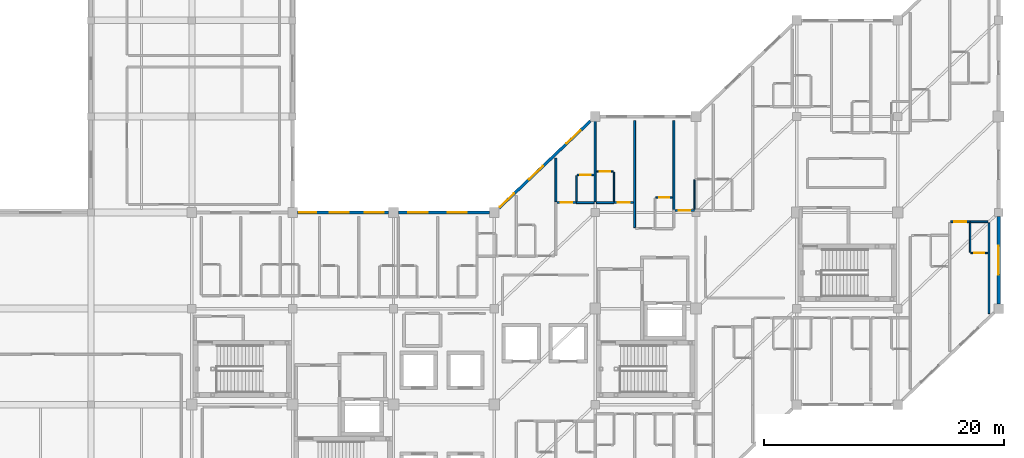
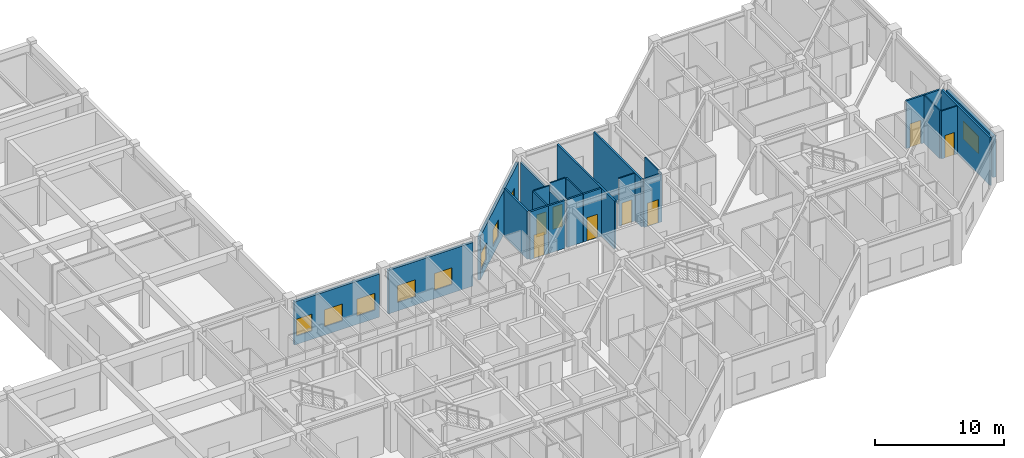
# One storey, part 30 of 37: 24 walls, 9 windows, 8 doors, 17 openings.
"""IFC4 building model written with IfcOpenShell, lengths in metres."""

from ifc_helpers import new_model, si_unit, direction, frame, frame_2d, origin, place, context, subcontext, project, spatial, rectangle, extrude, material, layer, layer_set, type_object, element, fill, save


model = new_model("IFC4")

# Units and contexts
model_context = context("Model", 3, precision=1e-05, world=origin(), true_north=direction((0.0, 1.0)))
body_context = subcontext(model_context, "Body", "Model", "MODEL_VIEW")
ifc_project = project(units=[si_unit("LENGTHUNIT", "METRE"), si_unit("AREAUNIT", "SQUARE_METRE"), si_unit("VOLUMEUNIT", "CUBIC_METRE"), si_unit("PLANEANGLEUNIT", "RADIAN"), si_unit("MASSUNIT", "GRAM", prefix="KILO")], contexts=[model_context])

# Site, building, storey
site_placement = place(None, origin())
site = spatial("IfcSite", under=ifc_project, at=site_placement, CompositionType="ELEMENT")
building_placement = place(site_placement, origin())
building = spatial("IfcBuilding", under=site, at=building_placement, Name="Naruveol Harbour Congress Hotel", CompositionType="ELEMENT")
storey_placement = place(building_placement, frame((0.0, 0.0, 16.199951171875)))
storey = spatial("IfcBuildingStorey", under=building, at=storey_placement, Name="L03", CompositionType="ELEMENT", Elevation=16.199951171875)

# Wall, opening, window
ifc_material_1 = material(Name="Precast concrete C40/50", Category="concrete")
ifc_layer_1 = layer(ifc_material_1, 0.280029296875)
ifc_layer_set_1 = layer_set([ifc_layer_1], Name="Precast concrete C40/50")
wall_type_1 = type_object("IfcWallType", Name="ARCHITECTURAL PRECAST FACADE WALL 280", PredefinedType="SOLIDWALL", material=ifc_layer_set_1)
wall_1_placement = place(storey_placement, frame((184.800048828125, 31.64990234375, 0.0), z_axis=(0.0, 0.0, 1.0), x_axis=(0.0, -1.0, 0.0)))
wall_1 = element("IfcWall", 1, at=wall_1_placement, inside=storey, type_object=wall_type_1, Name="Hotel east gable wall L03 EW-280", PredefinedType="SOLIDWALL", context=body_context, shape_type="SweptSolid", body=[
    extrude(rectangle(XDim=7.25, YDim=0.280029296875, at=frame_2d((3.625, 0.0))), origin(), (0.0, 0.0, 1.0), 3.900146484375),
])
opening_1_placement = place(wall_1_placement, frame((2.425048828125, 0.0, 0.75)))
opening_1 = element("IfcOpeningElement", 2, at=opening_1_placement, cuts=wall_1, Name="Opening W-07", PredefinedType="OPENING", context=body_context, shape_type="SweptSolid", body=[
    extrude(rectangle(XDim=2.39990234375, YDim=1.64990234375, at=frame_2d((1.199951171875, 0.824951171875))), frame((0.0, 0.14990234375, 0.0), z_axis=(0.0, -1.0, 0.0), x_axis=(1.0, 0.0, 0.0)), (0.0, 0.0, 1.0), 0.300048828125),
])
ifc_material_2 = material(Name="Low-E Triple Glazing in Thermal Aluminium", Category="aluminium")
window_type_1 = type_object("IfcWindowType", Name="CORNER SUITE WINDOW 2400X1650", PartitioningType="DOUBLE_PANEL_VERTICAL", PredefinedType="WINDOW", material=ifc_material_2)
window_1_placement = place(opening_1_placement, origin())
window_1 = element("IfcWindow", 3, at=window_1_placement, inside=storey, type_object=window_type_1, Name="Window W-07 #268", OverallHeight=1.64990234375, OverallWidth=2.39990234375, PartitioningType="DOUBLE_PANEL_VERTICAL", PredefinedType="WINDOW", context=body_context, shape_type="SweptSolid", body=[
    extrude(rectangle(XDim=2.39990234375, YDim=1.64990234375, at=frame_2d((1.199951171875, 0.824951171875))), frame((0.0, 0.030029296875, 0.0), z_axis=(0.0, -1.0, 0.0), x_axis=(1.0, 0.0, 0.0)), (0.0, 0.0, 1.0), 0.06005859375),
])
fill(opening_1, window_1)

# Wall
ifc_material_3 = material(Name="Moisture-Resistant Gypsum Partition", Category="gypsum")
ifc_layer_2 = layer(ifc_material_3, 0.114990234375)
ifc_layer_set_2 = layer_set([ifc_layer_2], Name="Moisture-Resistant Gypsum Partition")
wall_type_2 = type_object("IfcWallType", Name="BATHROOM MOISTURE PARTITION WALL 115", PredefinedType="PARTITIONING", material=ifc_layer_set_2)
wall_2_placement = place(storey_placement, frame((149.6298828125, 32.909912109375, 0.0), z_axis=(0.0, 0.0, 1.0), x_axis=(0.0, 1.0, 0.0)))
element("IfcWall", 4, at=wall_2_placement, inside=storey, type_object=wall_type_2, Name="Bathroom west wall 0466 PW-115", PredefinedType="PARTITIONING", context=body_context, shape_type="SweptSolid", body=[
    extrude(rectangle(XDim=2.170166015625, YDim=0.114990234375, at=frame_2d((1.0849609375, 0.0))), origin(), (0.0, 0.0, 1.0), 4.53515625),
])

# Wall, opening, door
wall_3_placement = place(storey_placement, frame((149.68994140625, 35.139892578125, 0.0), z_axis=(0.0, 0.0, 1.0), x_axis=(1.0, 0.0, 0.0)))
wall_3 = element("IfcWall", 5, at=wall_3_placement, inside=storey, type_object=wall_type_2, Name="Bathroom north wall 0466 PW-115", PredefinedType="PARTITIONING", context=body_context, shape_type="SweptSolid", body=[
    extrude(rectangle(XDim=1.41015625, YDim=0.114990234375, at=frame_2d((0.705078125, 0.0))), origin(), (0.0, 0.0, 1.0), 4.53515625),
])
opening_2_placement = place(wall_3_placement, frame((0.27490234375, 0.0, 0.0)))
opening_2 = element("IfcOpeningElement", 6, at=opening_2_placement, cuts=wall_3, Name="Opening BD-RM0466", PredefinedType="OPENING", context=body_context, shape_type="SweptSolid", body=[
    extrude(rectangle(XDim=0.860107421875, YDim=2.1201171875, at=frame_2d((0.43017578125, 1.06005859375))), frame((0.0, 0.0673828125, 0.0), z_axis=(0.0, -1.0, 0.0), x_axis=(1.0, 0.0, 0.0)), (0.0, 0.0, 1.0), 0.135009765625),
])
ifc_material_4 = material(Name="Timber & Steel Acoustic Leaf", Category="steel")
door_type_1 = type_object("IfcDoorType", Name="GUEST BATHROOM DOOR 860X2120", OperationType="NOTDEFINED", PredefinedType="DOOR", material=ifc_material_4)
door_1_placement = place(opening_2_placement, origin())
door_1 = element("IfcDoor", 7, at=door_1_placement, inside=storey, type_object=door_type_1, Name="Bathroom Door 0466", OperationType="SINGLE_SWING_RIGHT", OverallHeight=2.1201171875, OverallWidth=0.860107421875, PredefinedType="DOOR", context=body_context, shape_type="SweptSolid", body=[
    extrude(rectangle(XDim=0.860107421875, YDim=2.1201171875, at=frame_2d((0.43017578125, 1.06005859375))), frame((0.0, 0.02490234375, 0.0), z_axis=(0.0, -1.0, 0.0), x_axis=(1.0, 0.0, 0.0)), (0.0, 0.0, 1.0), 0.050048828125),
])
fill(opening_2, door_1)

# Wall
wall_4_placement = place(storey_placement, frame((152.77001953125, 32.909912109375, 0.0), z_axis=(0.0, 0.0, 1.0), x_axis=(0.0, 1.0, 0.0)))
element("IfcWall", 8, at=wall_4_placement, inside=storey, type_object=wall_type_2, Name="Bathroom east wall 0467 PW-115", PredefinedType="PARTITIONING", context=body_context, shape_type="SweptSolid", body=[
    extrude(rectangle(XDim=2.4501953125, YDim=0.114990234375, at=frame_2d((1.22509765625, 0.0))), origin(), (0.0, 0.0, 1.0), 4.53515625),
])

# Wall, opening, door
wall_5_placement = place(storey_placement, frame((151.300048828125, 35.419921875, 0.0), z_axis=(0.0, 0.0, 1.0), x_axis=(1.0, 0.0, 0.0)))
wall_5 = element("IfcWall", 9, at=wall_5_placement, inside=storey, type_object=wall_type_2, Name="Bathroom north wall 0467 PW-115", PredefinedType="PARTITIONING", context=body_context, shape_type="SweptSolid", body=[
    extrude(rectangle(XDim=1.409912109375, YDim=0.114990234375, at=frame_2d((0.705078125, 0.0))), origin(), (0.0, 0.0, 1.0), 4.53515625),
])
opening_3_placement = place(wall_5_placement, frame((0.27490234375, 0.0, 0.0)))
opening_3 = element("IfcOpeningElement", 10, at=opening_3_placement, cuts=wall_5, Name="Opening BD-RM0467", PredefinedType="OPENING", context=body_context, shape_type="SweptSolid", body=[
    extrude(rectangle(XDim=0.860107421875, YDim=2.1201171875, at=frame_2d((0.43017578125, 1.06005859375))), frame((0.0, 0.0673828125, 0.0), z_axis=(0.0, -1.0, 0.0), x_axis=(1.0, 0.0, 0.0)), (0.0, 0.0, 1.0), 0.135009765625),
])
door_2_placement = place(opening_3_placement, origin())
door_2 = element("IfcDoor", 11, at=door_2_placement, inside=storey, type_object=door_type_1, Name="Bathroom Door 0467", OperationType="SINGLE_SWING_RIGHT", OverallHeight=2.1201171875, OverallWidth=0.860107421875, PredefinedType="DOOR", context=body_context, shape_type="SweptSolid", body=[
    extrude(rectangle(XDim=0.860107421875, YDim=2.1201171875, at=frame_2d((0.43017578125, 1.06005859375))), frame((0.0, 0.02490234375, 0.0), z_axis=(0.0, -1.0, 0.0), x_axis=(1.0, 0.0, 0.0)), (0.0, 0.0, 1.0), 0.050048828125),
])
fill(opening_3, door_2)

wall_6_placement = place(storey_placement, frame((156.25, 33.260009765625, 0.0), z_axis=(0.0, 0.0, 1.0), x_axis=(1.0, 0.0, 0.0)))
wall_6 = element("IfcWall", 12, at=wall_6_placement, inside=storey, type_object=wall_type_2, Name="Bathroom north wall 0468 PW-115", PredefinedType="PARTITIONING", context=body_context, shape_type="SweptSolid", body=[
    extrude(rectangle(XDim=1.409912109375, YDim=0.114990234375, at=frame_2d((0.705078125, 0.0))), origin(), (0.0, 0.0, 1.0), 4.53515625),
])
opening_4_placement = place(wall_6_placement, frame((0.27490234375, 0.0, 0.0)))
opening_4 = element("IfcOpeningElement", 13, at=opening_4_placement, cuts=wall_6, Name="Opening BD-RM0468", PredefinedType="OPENING", context=body_context, shape_type="SweptSolid", body=[
    extrude(rectangle(XDim=0.860107421875, YDim=2.1201171875, at=frame_2d((0.43017578125, 1.06005859375))), frame((0.0, 0.0673828125, 0.0), z_axis=(0.0, -1.0, 0.0), x_axis=(1.0, 0.0, 0.0)), (0.0, 0.0, 1.0), 0.135009765625),
])
door_3_placement = place(opening_4_placement, origin())
door_3 = element("IfcDoor", 14, at=door_3_placement, inside=storey, type_object=door_type_1, Name="Bathroom Door 0468", OperationType="SINGLE_SWING_RIGHT", OverallHeight=2.1201171875, OverallWidth=0.860107421875, PredefinedType="DOOR", context=body_context, shape_type="SweptSolid", body=[
    extrude(rectangle(XDim=0.860107421875, YDim=2.1201171875, at=frame_2d((0.43017578125, 1.06005859375))), frame((0.0, 0.02490234375, 0.0), z_axis=(0.0, -1.0, 0.0), x_axis=(1.0, 0.0, 0.0)), (0.0, 0.0, 1.0), 0.050048828125),
])
fill(opening_4, door_3)

# Walls
for number, where, z_axis, x_axis, name in (
    (15, (159.469970703125, 32.260009765625, 0.0), (0.0, 0.0, 1.0), (0.0, 1.0, 0.0), "Bathroom west wall 0469 PW-115"),
    (16, (182.429931640625, 28.68994140625, 0.0), (0.0, 0.0, 1.0), (0.0, 1.0, 0.0), "Bathroom west wall 0456 PW-115"),
):
    element("IfcWall", number, at=place(storey_placement, frame(where, z_axis=z_axis, x_axis=x_axis)), inside=storey, type_object=wall_type_2, Name=name, PredefinedType="PARTITIONING", context=body_context, shape_type="SweptSolid", body=[
        extrude(rectangle(XDim=2.449951171875, YDim=0.114990234375, at=frame_2d((1.22509765625, 0.0))), origin(), (0.0, 0.0, 1.0), 4.53515625),
    ])

# Wall, opening, door
wall_7_placement = place(storey_placement, frame((182.489990234375, 28.6298828125, 0.0), z_axis=(0.0, 0.0, 1.0), x_axis=(1.0, 0.0, 0.0)))
wall_7 = element("IfcWall", 17, at=wall_7_placement, inside=storey, type_object=wall_type_2, Name="Bathroom south wall 0456 PW-115", PredefinedType="PARTITIONING", context=body_context, shape_type="SweptSolid", body=[
    extrude(rectangle(XDim=1.409912109375, YDim=0.114990234375, at=frame_2d((0.705078125, 0.0))), origin(), (0.0, 0.0, 1.0), 4.53515625),
])
opening_5_placement = place(wall_7_placement, frame((0.27490234375, 0.0, 0.0)))
opening_5 = element("IfcOpeningElement", 18, at=opening_5_placement, cuts=wall_7, Name="Opening BD-RM0456", PredefinedType="OPENING", context=body_context, shape_type="SweptSolid", body=[
    extrude(rectangle(XDim=0.860107421875, YDim=2.1201171875, at=frame_2d((0.43017578125, 1.06005859375))), frame((0.0, 0.0673828125, 0.0), z_axis=(0.0, -1.0, 0.0), x_axis=(1.0, 0.0, 0.0)), (0.0, 0.0, 1.0), 0.135009765625),
])
door_4_placement = place(opening_5_placement, origin())
door_4 = element("IfcDoor", 19, at=door_4_placement, inside=storey, type_object=door_type_1, Name="Bathroom Door 0456", OperationType="SINGLE_SWING_RIGHT", OverallHeight=2.1201171875, OverallWidth=0.860107421875, PredefinedType="DOOR", context=body_context, shape_type="SweptSolid", body=[
    extrude(rectangle(XDim=0.860107421875, YDim=2.1201171875, at=frame_2d((0.43017578125, 1.06005859375))), frame((0.0, 0.02490234375, 0.0), z_axis=(0.0, -1.0, 0.0), x_axis=(1.0, 0.0, 0.0)), (0.0, 0.0, 1.0), 0.050048828125),
])
fill(opening_5, door_4)

ifc_material_5 = material(Name="Autoclaved Aerated Concrete Block", Category="concrete")
ifc_layer_3 = layer(ifc_material_5, 0.159912109375)
ifc_layer_set_3 = layer_set([ifc_layer_3], Name="Autoclaved Aerated Concrete Block")
wall_type_3 = type_object("IfcWallType", Name="HOTEL PARTY AND CORRIDOR WALL 160 EI60", PredefinedType="PARTITIONING", material=ifc_layer_set_3)
wall_8_placement = place(storey_placement, frame((148.010009765625, 32.820068359375, 0.0), z_axis=(0.0, 0.0, 1.0), x_axis=(1.0, 0.0, 0.0)))
wall_8 = element("IfcWall", 20, at=wall_8_placement, inside=storey, type_object=wall_type_3, Name="Corridor entry wall 0466 PW-160", PredefinedType="PARTITIONING", context=body_context, shape_type="SweptSolid", body=[
    extrude(rectangle(XDim=1.619873046875, YDim=0.159912109375, at=frame_2d((0.81005859375, 0.0))), origin(), (0.0, 0.0, 1.0), 4.53515625),
])
opening_6_placement = place(wall_8_placement, frame((0.330078125, 0.0, 0.0)))
opening_6 = element("IfcOpeningElement", 21, at=opening_6_placement, cuts=wall_8, Name="Opening FD-RM0466", PredefinedType="OPENING", context=body_context, shape_type="SweptSolid", body=[
    extrude(rectangle(XDim=0.9599609375, YDim=2.199951171875, at=frame_2d((0.47998046875, 1.10009765625))), frame((0.0, 0.08984375, 0.0), z_axis=(0.0, -1.0, 0.0), x_axis=(1.0, 0.0, 0.0)), (0.0, 0.0, 1.0), 0.179931640625),
])
ifc_material_6 = material(Name="Timber & Steel Acoustic Leaf", Category="steel")
door_type_2 = type_object("IfcDoorType", Name="GUEST ROOM ENTRANCE FIRE DOOR 960X2200", OperationType="NOTDEFINED", PredefinedType="DOOR", material=ifc_material_6)
door_5_placement = place(opening_6_placement, origin())
door_5 = element("IfcDoor", 22, at=door_5_placement, inside=storey, type_object=door_type_2, Name="Hotel Room Door 0466", OperationType="SINGLE_SWING_LEFT", OverallHeight=2.199951171875, OverallWidth=0.9599609375, PredefinedType="DOOR", context=body_context, shape_type="SweptSolid", body=[
    extrude(rectangle(XDim=0.9599609375, YDim=2.199951171875, at=frame_2d((0.47998046875, 1.10009765625))), frame((0.0, 0.02490234375, 0.0), z_axis=(0.0, -1.0, 0.0), x_axis=(1.0, 0.0, 0.0)), (0.0, 0.0, 1.0), 0.050048828125),
])
fill(opening_6, door_5)

# Walls
wall_9_placement = place(storey_placement, frame((149.639892578125, 32.820068359375, 0.0), z_axis=(0.0, 0.0, 1.0), x_axis=(1.0, 0.0, 0.0)))
element("IfcWall", 23, at=wall_9_placement, inside=storey, type_object=wall_type_3, Name="Corridor wall 0466B PW-160", PredefinedType="PARTITIONING", context=body_context, shape_type="SweptSolid", body=[
    extrude(rectangle(XDim=1.47021484375, YDim=0.159912109375, at=frame_2d((0.735107421875, 0.0))), origin(), (0.0, 0.0, 1.0), 4.53515625),
])
wall_10_placement = place(storey_placement, frame((147.919921875, 32.909912109375, 0.0), z_axis=(0.0, 0.0, 1.0), x_axis=(0.0, 1.0, 0.0)))
element("IfcWall", 24, at=wall_10_placement, inside=storey, type_object=wall_type_3, Name="Hotel party wall 0466 PW-160", PredefinedType="PARTITIONING", context=body_context, shape_type="SweptSolid", body=[
    extrude(rectangle(XDim=3.630126953125, YDim=0.159912109375, at=frame_2d((1.81494140625, 0.0))), origin(), (0.0, 0.0, 1.0), 4.53515625),
])
wall_11_placement = place(storey_placement, frame((151.2900390625, 32.820068359375, 0.0), z_axis=(0.0, 0.0, 1.0), x_axis=(1.0, 0.0, 0.0)))
element("IfcWall", 25, at=wall_11_placement, inside=storey, type_object=wall_type_3, Name="Corridor wall 0467B PW-160", PredefinedType="PARTITIONING", context=body_context, shape_type="SweptSolid", body=[
    extrude(rectangle(XDim=1.469970703125, YDim=0.159912109375, at=frame_2d((0.73486328125, 0.0))), origin(), (0.0, 0.0, 1.0), 4.53515625),
])

# Wall, opening, door
wall_12_placement = place(storey_placement, frame((152.77001953125, 32.820068359375, 0.0), z_axis=(0.0, 0.0, 1.0), x_axis=(1.0, 0.0, 0.0)))
wall_12 = element("IfcWall", 26, at=wall_12_placement, inside=storey, type_object=wall_type_3, Name="Corridor entry wall 0467 PW-160", PredefinedType="PARTITIONING", context=body_context, shape_type="SweptSolid", body=[
    extrude(rectangle(XDim=1.619873046875, YDim=0.159912109375, at=frame_2d((0.81005859375, 0.0))), origin(), (0.0, 0.0, 1.0), 4.53515625),
])
opening_7_placement = place(wall_12_placement, frame((0.330078125, 0.0, 0.0)))
opening_7 = element("IfcOpeningElement", 27, at=opening_7_placement, cuts=wall_12, Name="Opening FD-RM0467", PredefinedType="OPENING", context=body_context, shape_type="SweptSolid", body=[
    extrude(rectangle(XDim=0.9599609375, YDim=2.199951171875, at=frame_2d((0.47998046875, 1.10009765625))), frame((0.0, 0.08984375, 0.0), z_axis=(0.0, -1.0, 0.0), x_axis=(1.0, 0.0, 0.0)), (0.0, 0.0, 1.0), 0.179931640625),
])
door_6_placement = place(opening_7_placement, origin())
door_6 = element("IfcDoor", 28, at=door_6_placement, inside=storey, type_object=door_type_2, Name="Hotel Room Door 0467", OperationType="SINGLE_SWING_LEFT", OverallHeight=2.199951171875, OverallWidth=0.9599609375, PredefinedType="DOOR", context=body_context, shape_type="SweptSolid", body=[
    extrude(rectangle(XDim=0.9599609375, YDim=2.199951171875, at=frame_2d((0.47998046875, 1.10009765625))), frame((0.0, 0.02490234375, 0.0), z_axis=(0.0, -1.0, 0.0), x_axis=(1.0, 0.0, 0.0)), (0.0, 0.0, 1.0), 0.050048828125),
])
fill(opening_7, door_6)

# Walls
wall_13_placement = place(storey_placement, frame((151.199951171875, 32.909912109375, 0.0), z_axis=(0.0, 0.0, 1.0), x_axis=(0.0, 1.0, 0.0)))
element("IfcWall", 29, at=wall_13_placement, inside=storey, type_object=wall_type_3, Name="Hotel party wall 0467 PW-160", PredefinedType="PARTITIONING", context=body_context, shape_type="SweptSolid", body=[
    extrude(rectangle(XDim=6.75, YDim=0.159912109375, at=frame_2d((3.375, 0.0))), origin(), (0.0, 0.0, 1.0), 3.97998046875),
])
wall_14_placement = place(storey_placement, frame((154.47998046875, 30.75, 0.0), z_axis=(0.0, 0.0, 1.0), x_axis=(0.0, 1.0, 0.0)))
element("IfcWall", 30, at=wall_14_placement, inside=storey, type_object=wall_type_3, Name="Hotel party wall 0468 PW-160", PredefinedType="PARTITIONING", context=body_context, shape_type="SweptSolid", body=[
    extrude(rectangle(XDim=8.909912109375, YDim=0.159912109375, at=frame_2d((4.455078125, 0.0))), origin(), (0.0, 0.0, 1.0), 4.53515625),
])

# Wall, opening, door
wall_15_placement = place(storey_placement, frame((157.85009765625, 32.169921875, 0.0), z_axis=(0.0, 0.0, 1.0), x_axis=(1.0, 0.0, 0.0)))
wall_15 = element("IfcWall", 31, at=wall_15_placement, inside=storey, type_object=wall_type_3, Name="Corridor entry wall 0469 PW-160", PredefinedType="PARTITIONING", context=body_context, shape_type="SweptSolid", body=[
    extrude(rectangle(XDim=1.619873046875, YDim=0.159912109375, at=frame_2d((0.81005859375, 0.0))), origin(), (0.0, 0.0, 1.0), 4.53515625),
])
opening_8_placement = place(wall_15_placement, frame((0.30810546875, 0.0, 0.0)))
opening_8 = element("IfcOpeningElement", 32, at=opening_8_placement, cuts=wall_15, Name="Opening FD-RM0469", PredefinedType="OPENING", context=body_context, shape_type="SweptSolid", body=[
    extrude(rectangle(XDim=0.9599609375, YDim=2.199951171875, at=frame_2d((0.47998046875, 1.10009765625))), frame((0.0, 0.08984375, 0.0), z_axis=(0.0, -1.0, 0.0), x_axis=(1.0, 0.0, 0.0)), (0.0, 0.0, 1.0), 0.179931640625),
])
door_7_placement = place(opening_8_placement, origin())
door_7 = element("IfcDoor", 33, at=door_7_placement, inside=storey, type_object=door_type_2, Name="Hotel Room Door 0469", OperationType="SINGLE_SWING_LEFT", OverallHeight=2.199951171875, OverallWidth=0.9599609375, PredefinedType="DOOR", context=body_context, shape_type="SweptSolid", body=[
    extrude(rectangle(XDim=0.9599609375, YDim=2.199951171875, at=frame_2d((0.47998046875, 1.10009765625))), frame((0.0, 0.02490234375, 0.0), z_axis=(0.0, -1.0, 0.0), x_axis=(1.0, 0.0, 0.0)), (0.0, 0.0, 1.0), 0.050048828125),
])
fill(opening_8, door_7)

# Wall
wall_16_placement = place(storey_placement, frame((157.760009765625, 32.260009765625, 0.0), z_axis=(0.0, 0.0, 1.0), x_axis=(0.0, 1.0, 0.0)))
element("IfcWall", 34, at=wall_16_placement, inside=storey, type_object=wall_type_3, Name="Hotel party wall 0469 PW-160", PredefinedType="PARTITIONING", context=body_context, shape_type="SweptSolid", body=[
    extrude(rectangle(XDim=7.39990234375, YDim=0.159912109375, at=frame_2d((3.699951171875, 0.0))), origin(), (0.0, 0.0, 1.0), 4.53515625),
])

# Wall, opening, door
wall_17_placement = place(storey_placement, frame((180.81005859375, 31.22998046875, 0.0), z_axis=(0.0, 0.0, 1.0), x_axis=(1.0, 0.0, 0.0)))
wall_17 = element("IfcWall", 35, at=wall_17_placement, inside=storey, type_object=wall_type_3, Name="Corridor entry wall 0456 PW-160", PredefinedType="PARTITIONING", context=body_context, shape_type="SweptSolid", body=[
    extrude(rectangle(XDim=1.619873046875, YDim=0.159912109375, at=frame_2d((0.81005859375, 0.0))), origin(), (0.0, 0.0, 1.0), 4.53515625),
])
opening_9_placement = place(wall_17_placement, frame((0.31005859375, 0.0, 0.0)))
opening_9 = element("IfcOpeningElement", 36, at=opening_9_placement, cuts=wall_17, Name="Opening FD-RM0456", PredefinedType="OPENING", context=body_context, shape_type="SweptSolid", body=[
    extrude(rectangle(XDim=1.0, YDim=2.25, at=frame_2d((0.5, 1.125))), frame((0.0, 0.08984375, 0.0), z_axis=(0.0, -1.0, 0.0), x_axis=(1.0, 0.0, 0.0)), (0.0, 0.0, 1.0), 0.179931640625),
])
ifc_material_7 = material(Name="Timber & Steel Acoustic Leaf", Category="steel")
door_type_3 = type_object("IfcDoorType", Name="DELUXE GUEST ENTRANCE FIRE DOOR 1000X2250", OperationType="NOTDEFINED", PredefinedType="DOOR", material=ifc_material_7)
door_8_placement = place(opening_9_placement, origin())
door_8 = element("IfcDoor", 37, at=door_8_placement, inside=storey, type_object=door_type_3, Name="Hotel Room Door 0456", OperationType="SINGLE_SWING_LEFT", OverallHeight=2.25, OverallWidth=1.0, PredefinedType="DOOR", context=body_context, shape_type="SweptSolid", body=[
    extrude(rectangle(XDim=1.0, YDim=2.25, at=frame_2d((0.5, 1.125))), frame((0.0, 0.02490234375, 0.0), z_axis=(0.0, -1.0, 0.0), x_axis=(1.0, 0.0, 0.0)), (0.0, 0.0, 1.0), 0.050048828125),
])
fill(opening_9, door_8)

# Walls
wall_18_placement = place(storey_placement, frame((182.43994140625, 31.22998046875, 0.0), z_axis=(0.0, 0.0, 1.0), x_axis=(1.0, 0.0, 0.0)))
element("IfcWall", 38, at=wall_18_placement, inside=storey, type_object=wall_type_3, Name="Corridor wall 0456B PW-160", PredefinedType="PARTITIONING", context=body_context, shape_type="SweptSolid", body=[
    extrude(rectangle(XDim=1.469970703125, YDim=0.159912109375, at=frame_2d((0.73486328125, 0.0))), origin(), (0.0, 0.0, 1.0), 4.53515625),
])
wall_19_placement = place(storey_placement, frame((184.0, 23.580078125, 0.0), z_axis=(0.0, 0.0, 1.0), x_axis=(0.0, 1.0, 0.0)))
element("IfcWall", 39, at=wall_19_placement, inside=storey, type_object=wall_type_3, Name="Hotel end party wall 0456 PW-160", PredefinedType="PARTITIONING", context=body_context, shape_type="SweptSolid", body=[
    extrude(rectangle(XDim=7.559814453125, YDim=0.159912109375, at=frame_2d((3.77978515625, 0.0))), origin(), (0.0, 0.0, 1.0), 4.53515625),
])

# Wall, openings, windows
ifc_material_8 = material(Name="Concrete C40/50", Category="concrete")
ifc_layer_4 = layer(ifc_material_8, 0.239990234375)
ifc_layer_set_4 = layer_set([ifc_layer_4], Name="Concrete C40/50")
wall_type_4 = type_object("IfcWallType", Name="INSULATED HOTEL SPANDREL WALL 240", PredefinedType="SOLIDWALL", material=ifc_layer_set_4)
wall_20_placement = place(storey_placement, frame((126.39990234375, 32.0, 0.0), z_axis=(0.0, 0.0, 1.0), x_axis=(1.0, 0.0, 0.0)))
wall_20 = element("IfcWall", 40, at=wall_20_placement, inside=storey, type_object=wall_type_4, Name="Hotel north bay wall L03 EW-240", PredefinedType="SOLIDWALL", context=body_context, shape_type="SweptSolid", body=[
    extrude(rectangle(XDim=7.60009765625, YDim=0.239990234375, at=frame_2d((3.800048828125, 0.0))), origin(), (0.0, 0.0, 1.0), 4.090087890625),
])
opening_10_placement = place(wall_20_placement, frame((0.169921875, 0.0, 0.800048828125)))
opening_10 = element("IfcOpeningElement", 41, at=opening_10_placement, cuts=wall_20, Name="Opening W-02", PredefinedType="OPENING", context=body_context, shape_type="SweptSolid", body=[
    extrude(rectangle(XDim=1.39990234375, YDim=1.60009765625, at=frame_2d((0.699951171875, 0.800048828125))), frame((0.0, 0.1298828125, 0.0), z_axis=(0.0, -1.0, 0.0), x_axis=(1.0, 0.0, 0.0)), (0.0, 0.0, 1.0), 0.260009765625),
])
opening_11_placement = place(wall_20_placement, frame((2.679931640625, 0.0, 0.800048828125)))
opening_11 = element("IfcOpeningElement", 42, at=opening_11_placement, cuts=wall_20, Name="Opening W-03", PredefinedType="OPENING", context=body_context, shape_type="SweptSolid", body=[
    extrude(rectangle(XDim=1.60009765625, YDim=1.60009765625, at=frame_2d((0.800048828125, 0.800048828125))), frame((0.0, 0.1298828125, 0.0), z_axis=(0.0, -1.0, 0.0), x_axis=(1.0, 0.0, 0.0)), (0.0, 0.0, 1.0), 0.260009765625),
])
opening_12_placement = place(wall_20_placement, frame((5.610107421875, 0.0, 0.800048828125)))
opening_12 = element("IfcOpeningElement", 43, at=opening_12_placement, cuts=wall_20, Name="Opening W-03", PredefinedType="OPENING", context=body_context, shape_type="SweptSolid", body=[
    extrude(rectangle(XDim=1.60009765625, YDim=1.60009765625, at=frame_2d((0.800048828125, 0.800048828125))), frame((0.0, 0.1298828125, 0.0), z_axis=(0.0, -1.0, 0.0), x_axis=(1.0, 0.0, 0.0)), (0.0, 0.0, 1.0), 0.260009765625),
])
ifc_material_9 = material(Name="Low-E Triple Glazing in Thermal Aluminium", Category="aluminium")
window_type_2 = type_object("IfcWindowType", Name="DELUXE GUEST WINDOW 1600X1600", PartitioningType="SINGLE_PANEL", PredefinedType="WINDOW", material=ifc_material_9)
window_2_placement = place(opening_11_placement, origin())
window_2 = element("IfcWindow", 44, at=window_2_placement, inside=storey, type_object=window_type_2, Name="Window W-03 #233", OverallHeight=1.60009765625, OverallWidth=1.60009765625, PartitioningType="SINGLE_PANEL", PredefinedType="WINDOW", context=body_context, shape_type="SweptSolid", body=[
    extrude(rectangle(XDim=1.60009765625, YDim=1.60009765625, at=frame_2d((0.800048828125, 0.800048828125))), frame((0.0, 0.030029296875, 0.0), z_axis=(0.0, -1.0, 0.0), x_axis=(1.0, 0.0, 0.0)), (0.0, 0.0, 1.0), 0.06005859375),
])
fill(opening_11, window_2)
window_3_placement = place(opening_12_placement, origin())
window_3 = element("IfcWindow", 45, at=window_3_placement, inside=storey, type_object=window_type_2, Name="Window W-03 #234", OverallHeight=1.60009765625, OverallWidth=1.60009765625, PartitioningType="SINGLE_PANEL", PredefinedType="WINDOW", context=body_context, shape_type="SweptSolid", body=[
    extrude(rectangle(XDim=1.60009765625, YDim=1.60009765625, at=frame_2d((0.800048828125, 0.800048828125))), frame((0.0, 0.030029296875, 0.0), z_axis=(0.0, -1.0, 0.0), x_axis=(1.0, 0.0, 0.0)), (0.0, 0.0, 1.0), 0.06005859375),
])
fill(opening_12, window_3)
ifc_material_10 = material(Name="Low-E Triple Glazing in Thermal Aluminium", Category="aluminium")
window_type_3 = type_object("IfcWindowType", Name="GUEST ROOM HARBOUR WINDOW 1400X1600", PartitioningType="SINGLE_PANEL", PredefinedType="WINDOW", material=ifc_material_10)
window_4_placement = place(opening_10_placement, origin())
window_4 = element("IfcWindow", 46, at=window_4_placement, inside=storey, type_object=window_type_3, Name="Window W-02 #232", OverallHeight=1.60009765625, OverallWidth=1.39990234375, PartitioningType="SINGLE_PANEL", PredefinedType="WINDOW", context=body_context, shape_type="SweptSolid", body=[
    extrude(rectangle(XDim=1.39990234375, YDim=1.60009765625, at=frame_2d((0.699951171875, 0.800048828125))), frame((0.0, 0.030029296875, 0.0), z_axis=(0.0, -1.0, 0.0), x_axis=(1.0, 0.0, 0.0)), (0.0, 0.0, 1.0), 0.06005859375),
])
fill(opening_10, window_4)

wall_21_placement = place(storey_placement, frame((134.800048828125, 32.0, 0.0), z_axis=(0.0, 0.0, 1.0), x_axis=(1.0, 0.0, 0.0)))
wall_21 = element("IfcWall", 47, at=wall_21_placement, inside=storey, type_object=wall_type_4, Name="Hotel north bay wall L03 EW-240", PredefinedType="SOLIDWALL", context=body_context, shape_type="SweptSolid", body=[
    extrude(rectangle(XDim=7.599853515625, YDim=0.239990234375, at=frame_2d((3.7998046875, 0.0))), origin(), (0.0, 0.0, 1.0), 4.130126953125),
])
opening_13_placement = place(wall_21_placement, frame((0.840087890625, 0.0, 0.800048828125)))
opening_13 = element("IfcOpeningElement", 48, at=opening_13_placement, cuts=wall_21, Name="Opening W-03", PredefinedType="OPENING", context=body_context, shape_type="SweptSolid", body=[
    extrude(rectangle(XDim=1.60009765625, YDim=1.60009765625, at=frame_2d((0.800048828125, 0.800048828125))), frame((0.0, 0.1298828125, 0.0), z_axis=(0.0, -1.0, 0.0), x_axis=(1.0, 0.0, 0.0)), (0.0, 0.0, 1.0), 0.260009765625),
])
opening_14_placement = place(wall_21_placement, frame((4.1201171875, 0.0, 0.800048828125)))
opening_14 = element("IfcOpeningElement", 49, at=opening_14_placement, cuts=wall_21, Name="Opening W-03", PredefinedType="OPENING", context=body_context, shape_type="SweptSolid", body=[
    extrude(rectangle(XDim=1.60009765625, YDim=1.60009765625, at=frame_2d((0.800048828125, 0.800048828125))), frame((0.0, 0.1298828125, 0.0), z_axis=(0.0, -1.0, 0.0), x_axis=(1.0, 0.0, 0.0)), (0.0, 0.0, 1.0), 0.260009765625),
])
window_5_placement = place(opening_13_placement, origin())
window_5 = element("IfcWindow", 50, at=window_5_placement, inside=storey, type_object=window_type_2, Name="Window W-03 #237", OverallHeight=1.60009765625, OverallWidth=1.60009765625, PartitioningType="SINGLE_PANEL", PredefinedType="WINDOW", context=body_context, shape_type="SweptSolid", body=[
    extrude(rectangle(XDim=1.60009765625, YDim=1.60009765625, at=frame_2d((0.800048828125, 0.800048828125))), frame((0.0, 0.030029296875, 0.0), z_axis=(0.0, -1.0, 0.0), x_axis=(1.0, 0.0, 0.0)), (0.0, 0.0, 1.0), 0.06005859375),
])
fill(opening_13, window_5)
window_6_placement = place(opening_14_placement, origin())
window_6 = element("IfcWindow", 51, at=window_6_placement, inside=storey, type_object=window_type_2, Name="Window W-03 #238", OverallHeight=1.60009765625, OverallWidth=1.60009765625, PartitioningType="SINGLE_PANEL", PredefinedType="WINDOW", context=body_context, shape_type="SweptSolid", body=[
    extrude(rectangle(XDim=1.60009765625, YDim=1.60009765625, at=frame_2d((0.800048828125, 0.800048828125))), frame((0.0, 0.030029296875, 0.0), z_axis=(0.0, -1.0, 0.0), x_axis=(1.0, 0.0, 0.0)), (0.0, 0.0, 1.0), 0.06005859375),
])
fill(opening_14, window_6)

wall_22_placement = place(storey_placement, frame((143.199951171875, 32.381103515625, 0.0), z_axis=(0.0, 0.0, 1.0), x_axis=(0.724156739794, 0.689635422677, 0.0)))
wall_22 = element("IfcWall", 52, at=wall_22_placement, inside=storey, type_object=wall_type_4, Name="Hotel north bay wall L03 EW-240", PredefinedType="SOLIDWALL", context=body_context, shape_type="SweptSolid", body=[
    extrude(rectangle(XDim=10.4951171875, YDim=0.239990234375, at=frame_2d((5.24755859375, 0.0))), origin(), (0.0, 0.0, 1.0), 4.130126953125),
])
opening_15_placement = place(wall_22_placement, frame((0.125, 0.0, 0.800048828125)))
opening_15 = element("IfcOpeningElement", 53, at=opening_15_placement, cuts=wall_22, Name="Opening W-03", PredefinedType="OPENING", context=body_context, shape_type="SweptSolid", body=[
    extrude(rectangle(XDim=1.60009765625, YDim=1.60009765625, at=frame_2d((0.800048828125, 0.800048828125))), frame((0.0, 0.1298828125, 0.0), z_axis=(0.0, -1.0, 0.0), x_axis=(1.0, 0.0, 0.0)), (0.0, 0.0, 1.0), 0.260009765625),
])
opening_16_placement = place(wall_22_placement, frame((3.452880859375, 0.0, 0.800048828125)))
opening_16 = element("IfcOpeningElement", 54, at=opening_16_placement, cuts=wall_22, Name="Opening W-03", PredefinedType="OPENING", context=body_context, shape_type="SweptSolid", body=[
    extrude(rectangle(XDim=1.60009765625, YDim=1.60009765625, at=frame_2d((0.800048828125, 0.800048828125))), frame((0.0, 0.1298828125, 0.0), z_axis=(0.0, -1.0, 0.0), x_axis=(1.0, 0.0, 0.0)), (0.0, 0.0, 1.0), 0.260009765625),
])
opening_17_placement = place(wall_22_placement, frame((7.77587890625, 0.0, 0.800048828125)))
opening_17 = element("IfcOpeningElement", 55, at=opening_17_placement, cuts=wall_22, Name="Opening W-03", PredefinedType="OPENING", context=body_context, shape_type="SweptSolid", body=[
    extrude(rectangle(XDim=1.60009765625, YDim=1.60009765625, at=frame_2d((0.800048828125, 0.800048828125))), frame((0.0, 0.1298828125, 0.0), z_axis=(0.0, -1.0, 0.0), x_axis=(1.0, 0.0, 0.0)), (0.0, 0.0, 1.0), 0.260009765625),
])
window_7_placement = place(opening_15_placement, origin())
window_7 = element("IfcWindow", 56, at=window_7_placement, inside=storey, type_object=window_type_2, Name="Window W-03 #242", OverallHeight=1.60009765625, OverallWidth=1.60009765625, PartitioningType="SINGLE_PANEL", PredefinedType="WINDOW", context=body_context, shape_type="SweptSolid", body=[
    extrude(rectangle(XDim=1.60009765625, YDim=1.60009765625, at=frame_2d((0.800048828125, 0.800048828125))), frame((0.0, 0.030029296875, 0.0), z_axis=(0.0, -1.0, 0.0), x_axis=(1.0, 0.0, 0.0)), (0.0, 0.0, 1.0), 0.06005859375),
])
fill(opening_15, window_7)
window_8_placement = place(opening_16_placement, origin())
window_8 = element("IfcWindow", 57, at=window_8_placement, inside=storey, type_object=window_type_2, Name="Window W-03 #243", OverallHeight=1.60009765625, OverallWidth=1.60009765625, PartitioningType="SINGLE_PANEL", PredefinedType="WINDOW", context=body_context, shape_type="SweptSolid", body=[
    extrude(rectangle(XDim=1.60009765625, YDim=1.60009765625, at=frame_2d((0.800048828125, 0.800048828125))), frame((0.0, 0.030029296875, 0.0), z_axis=(0.0, -1.0, 0.0), x_axis=(1.0, 0.0, 0.0)), (0.0, 0.0, 1.0), 0.06005859375),
])
fill(opening_16, window_8)
window_9_placement = place(opening_17_placement, origin())
window_9 = element("IfcWindow", 58, at=window_9_placement, inside=storey, type_object=window_type_2, Name="Window W-03 #244", OverallHeight=1.60009765625, OverallWidth=1.60009765625, PartitioningType="SINGLE_PANEL", PredefinedType="WINDOW", context=body_context, shape_type="SweptSolid", body=[
    extrude(rectangle(XDim=1.60009765625, YDim=1.60009765625, at=frame_2d((0.800048828125, 0.800048828125))), frame((0.0, 0.030029296875, 0.0), z_axis=(0.0, -1.0, 0.0), x_axis=(1.0, 0.0, 0.0)), (0.0, 0.0, 1.0), 0.06005859375),
])
fill(opening_17, window_9)

save(model, "model.ifc")
